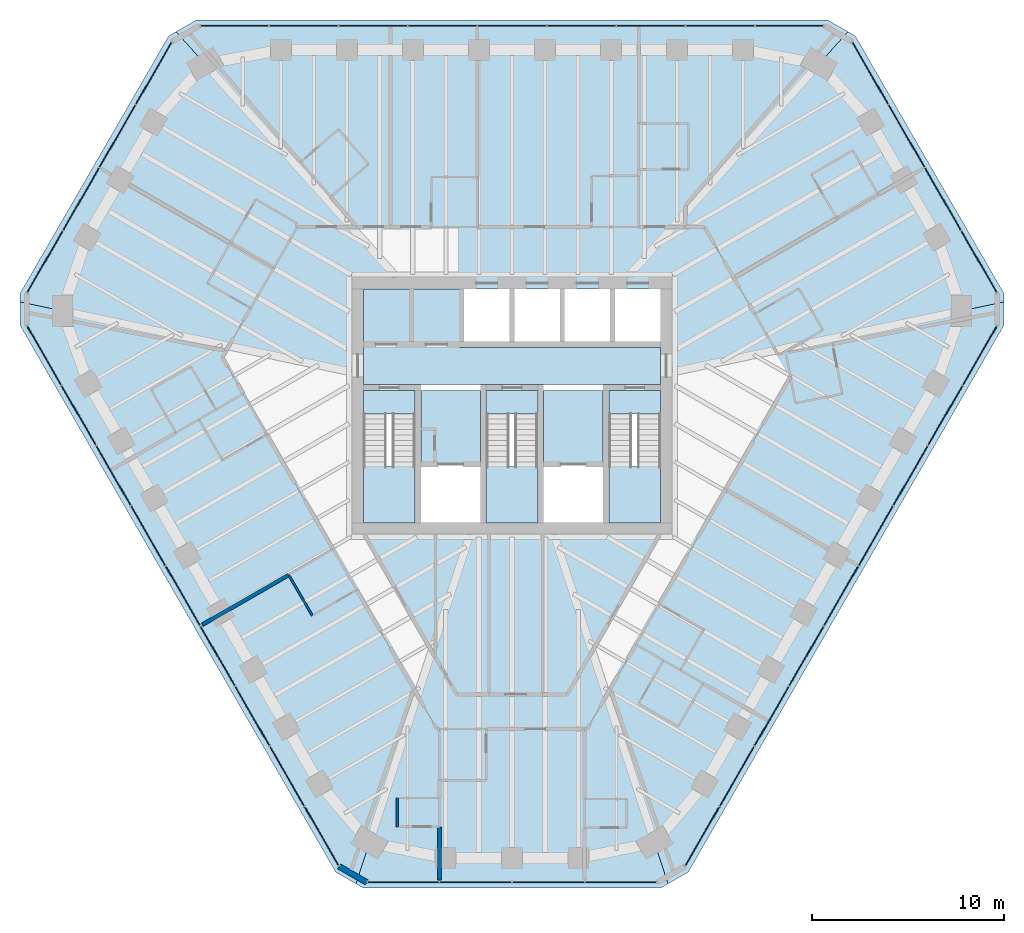
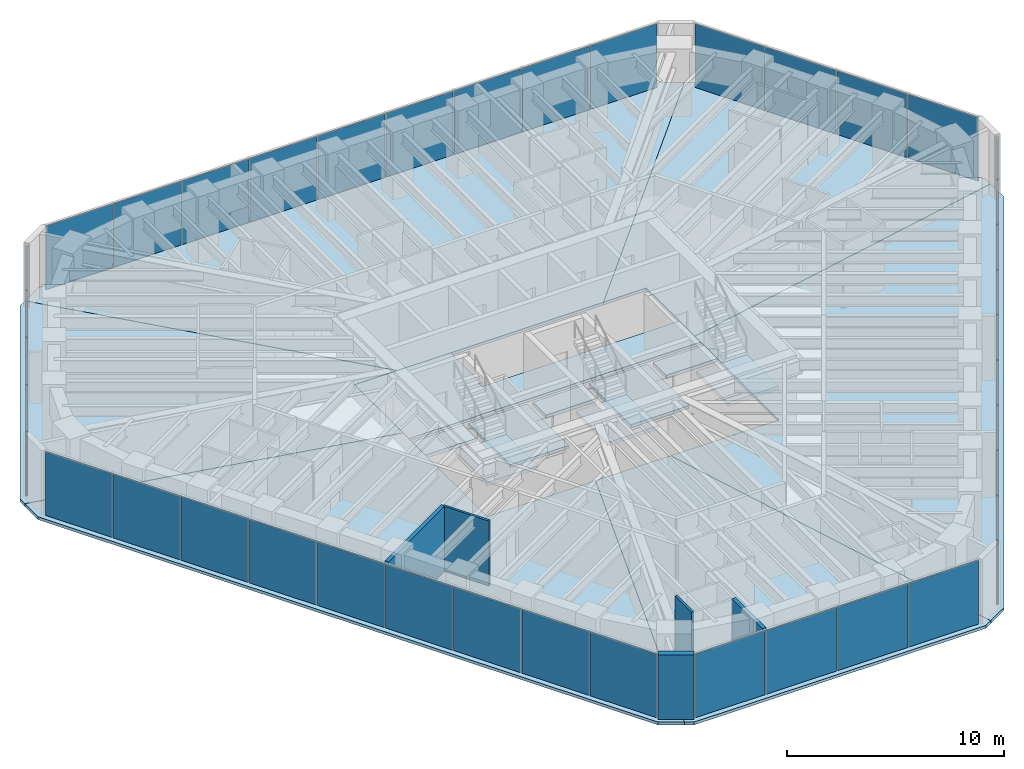
# One storey, part 8 of 14: 39 plates, 15 slabs, 5 walls, 9 elements without a shape of their own.
"""IFC4 building model written with IfcOpenShell, lengths in metres."""

from ifc_helpers import new_model, si_unit, direction, frame, frame_2d, origin, origin_2d, place, context, subcontext, project, spatial, polyline, rectangle, outline, extrude, material, layer, layer_set, type_object, element, aggregate, save


model = new_model("IFC4")

# Units and contexts
model_context = context("Model", 3, precision=1e-05, world=origin(), true_north=direction((0.0, 1.0)))
body_context = subcontext(model_context, "Body", "Model", "MODEL_VIEW")
ifc_project = project(units=[si_unit("LENGTHUNIT", "METRE"), si_unit("AREAUNIT", "SQUARE_METRE"), si_unit("VOLUMEUNIT", "CUBIC_METRE"), si_unit("PLANEANGLEUNIT", "RADIAN"), si_unit("MASSUNIT", "GRAM", prefix="KILO")], contexts=[model_context])

# Site, building, storey
site_placement = place(None, origin())
site = spatial("IfcSite", under=ifc_project, at=site_placement, CompositionType="ELEMENT")
building_placement = place(site_placement, origin())
building = spatial("IfcBuilding", under=site, at=building_placement, Name="Sandreach Pilgrim Tower", CompositionType="ELEMENT")
storey_placement = place(building_placement, frame((0.0, 0.0, 260.800048828125)))
storey = spatial("IfcBuildingStorey", under=building, at=storey_placement, Name="L65", CompositionType="ELEMENT", Elevation=260.800048828125)

# Curtain wall, plates
ifc_material_1 = material(Name="Aluminium framed curtain wall", Category="aluminium")
curtain_wall_type = type_object("IfcCurtainWallType", Name="Suite tower curtain wall", PredefinedType="NOTDEFINED", material=ifc_material_1)
curtain_wall_1_placement = place(storey_placement, origin())
curtain_wall_1 = element("IfcCurtainWall", 1, at=curtain_wall_1_placement, inside=storey, type_object=curtain_wall_type, Name="CW-4 L65 N", PredefinedType="NOTDEFINED")
ifc_material_2 = material(Name="Insulating glass unit 16.76 laminated + 24 argon + 16.76 laminated", Category="glass")
ifc_layer_1 = layer(ifc_material_2, 0.05810546875)
ifc_layer_set_1 = layer_set([ifc_layer_1], Name="CW-4 panel")
plate_type = type_object("IfcPlateType", Name="CW-4 panel", PredefinedType="CURTAIN_PANEL", material=ifc_layer_set_1)
plate_1_placement = place(storey_placement, frame((-14.472412109375, 19.826416015625, 0.0), z_axis=(0.0, 0.0, 1.0), x_axis=(1.0, 0.0, 0.0)))
plate_1 = element("IfcPlate", 2, at=plate_1_placement, type_object=plate_type, Name="CW-4 panel 1", PredefinedType="CURTAIN_PANEL", context=body_context, shape_type="SweptSolid", body=[
    extrude(rectangle(XDim=3.531982421875, YDim=0.05810546875, at=origin_2d()), origin(), (0.0, 0.0, 1.0), 3.570068359375),
])
plate_2_placement = place(storey_placement, frame((-10.865478515625, 19.826416015625, 0.0), z_axis=(0.0, 0.0, 1.0), x_axis=(1.0, 0.0, 0.0)))
plate_2 = element("IfcPlate", 3, at=plate_2_placement, type_object=plate_type, Name="CW-4 panel 2", PredefinedType="CURTAIN_PANEL", context=body_context, shape_type="SweptSolid", body=[
    extrude(rectangle(XDim=3.561767578125, YDim=0.05810546875, at=origin_2d()), origin(), (0.0, 0.0, 1.0), 3.570068359375),
])
plate_3_placement = place(storey_placement, frame((-7.24365234375, 19.826416015625, 0.0), z_axis=(0.0, 0.0, 1.0), x_axis=(1.0, 0.0, 0.0)))
plate_3 = element("IfcPlate", 4, at=plate_3_placement, type_object=plate_type, Name="CW-4 panel 3", PredefinedType="CURTAIN_PANEL", context=body_context, shape_type="SweptSolid", body=[
    extrude(rectangle(XDim=3.561767578125, YDim=0.05810546875, at=origin_2d()), origin(), (0.0, 0.0, 1.0), 3.570068359375),
])
plate_4_placement = place(storey_placement, frame((-3.621826171875, 19.826416015625, 0.0), z_axis=(0.0, 0.0, 1.0), x_axis=(1.0, 0.0, 0.0)))
plate_4 = element("IfcPlate", 5, at=plate_4_placement, type_object=plate_type, Name="CW-4 panel 4", PredefinedType="CURTAIN_PANEL", context=body_context, shape_type="SweptSolid", body=[
    extrude(rectangle(XDim=3.561767578125, YDim=0.05810546875, at=origin_2d()), origin(), (0.0, 0.0, 1.0), 3.570068359375),
])
plate_5_placement = place(storey_placement, frame((0.0, 19.826416015625, 0.0), z_axis=(0.0, 0.0, 1.0), x_axis=(1.0, 0.0, 0.0)))
plate_5 = element("IfcPlate", 6, at=plate_5_placement, type_object=plate_type, Name="CW-4 panel 5", PredefinedType="CURTAIN_PANEL", context=body_context, shape_type="SweptSolid", body=[
    extrude(rectangle(XDim=3.561767578125, YDim=0.05810546875, at=origin_2d()), origin(), (0.0, 0.0, 1.0), 3.570068359375),
])
plate_6_placement = place(storey_placement, frame((3.621826171875, 19.826416015625, 0.0), z_axis=(0.0, 0.0, 1.0), x_axis=(1.0, 0.0, 0.0)))
plate_6 = element("IfcPlate", 7, at=plate_6_placement, type_object=plate_type, Name="CW-4 panel 6", PredefinedType="CURTAIN_PANEL", context=body_context, shape_type="SweptSolid", body=[
    extrude(rectangle(XDim=3.561767578125, YDim=0.05810546875, at=origin_2d()), origin(), (0.0, 0.0, 1.0), 3.570068359375),
])
plate_7_placement = place(storey_placement, frame((7.24365234375, 19.826416015625, 0.0), z_axis=(0.0, 0.0, 1.0), x_axis=(1.0, 0.0, 0.0)))
plate_7 = element("IfcPlate", 8, at=plate_7_placement, type_object=plate_type, Name="CW-4 panel 7", PredefinedType="CURTAIN_PANEL", context=body_context, shape_type="SweptSolid", body=[
    extrude(rectangle(XDim=3.561767578125, YDim=0.05810546875, at=origin_2d()), origin(), (0.0, 0.0, 1.0), 3.570068359375),
])
plate_8_placement = place(storey_placement, frame((10.865478515625, 19.826416015625, 0.0), z_axis=(0.0, 0.0, 1.0), x_axis=(1.0, 0.0, 0.0)))
plate_8 = element("IfcPlate", 9, at=plate_8_placement, type_object=plate_type, Name="CW-4 panel 8", PredefinedType="CURTAIN_PANEL", context=body_context, shape_type="SweptSolid", body=[
    extrude(rectangle(XDim=3.561767578125, YDim=0.05810546875, at=origin_2d()), origin(), (0.0, 0.0, 1.0), 3.570068359375),
])
plate_9_placement = place(storey_placement, frame((14.472412109375, 19.826416015625, 0.0), z_axis=(0.0, 0.0, 1.0), x_axis=(1.0, 0.0, 0.0)))
plate_9 = element("IfcPlate", 10, at=plate_9_placement, type_object=plate_type, Name="CW-4 panel 9", PredefinedType="CURTAIN_PANEL", context=body_context, shape_type="SweptSolid", body=[
    extrude(rectangle(XDim=3.531982421875, YDim=0.05810546875, at=origin_2d()), origin(), (0.0, 0.0, 1.0), 3.570068359375),
])
aggregate(curtain_wall_1, [plate_1, plate_2, plate_3, plate_4, plate_5, plate_6, plate_7, plate_8, plate_9])

curtain_wall_2_placement = place(storey_placement, origin())
curtain_wall_2 = element("IfcCurtainWall", 11, at=curtain_wall_2_placement, inside=storey, type_object=curtain_wall_type, Name="CW-4 L65 NE", PredefinedType="NOTDEFINED")
plate_10_placement = place(storey_placement, frame((18.69140625, 17.341552734375, 0.0), z_axis=(0.0, 0.0, 1.0), x_axis=(0.5, -0.866025403784, 0.0)))
plate_10 = element("IfcPlate", 12, at=plate_10_placement, type_object=plate_type, Name="CW-4 panel 1", PredefinedType="CURTAIN_PANEL", context=body_context, shape_type="SweptSolid", body=[
    extrude(rectangle(XDim=3.70166015625, YDim=0.05810546875, at=origin_2d()), origin(), (0.0, 0.0, 1.0), 3.570068359375),
])
plate_11_placement = place(storey_placement, frame((20.579833984375, 14.07080078125, 0.0), z_axis=(0.0, 0.0, 1.0), x_axis=(0.5, -0.866025403784, 0.0)))
plate_11 = element("IfcPlate", 13, at=plate_11_placement, type_object=plate_type, Name="CW-4 panel 2", PredefinedType="CURTAIN_PANEL", context=body_context, shape_type="SweptSolid", body=[
    extrude(rectangle(XDim=3.731689453125, YDim=0.05810546875, at=origin_2d()), origin(), (0.0, 0.0, 1.0), 3.570068359375),
])
plate_12_placement = place(storey_placement, frame((22.4755859375, 10.787109375, 0.0), z_axis=(0.0, 0.0, 1.0), x_axis=(0.5, -0.866025403784, 0.0)))
plate_12 = element("IfcPlate", 14, at=plate_12_placement, type_object=plate_type, Name="CW-4 panel 3", PredefinedType="CURTAIN_PANEL", context=body_context, shape_type="SweptSolid", body=[
    extrude(rectangle(XDim=3.731689453125, YDim=0.05810546875, at=origin_2d()), origin(), (0.0, 0.0, 1.0), 3.570068359375),
])
plate_13_placement = place(storey_placement, frame((24.364013671875, 7.516357421875, 0.0), z_axis=(0.0, 0.0, 1.0), x_axis=(0.5, -0.866025403784, 0.0)))
plate_13 = element("IfcPlate", 15, at=plate_13_placement, type_object=plate_type, Name="CW-4 panel 4", PredefinedType="CURTAIN_PANEL", context=body_context, shape_type="SweptSolid", body=[
    extrude(rectangle(XDim=3.70166015625, YDim=0.05810546875, at=origin_2d()), origin(), (0.0, 0.0, 1.0), 3.570068359375),
])
aggregate(curtain_wall_2, [plate_10, plate_11, plate_12, plate_13])

curtain_wall_3_placement = place(storey_placement, origin())
curtain_wall_3 = element("IfcCurtainWall", 16, at=curtain_wall_3_placement, inside=storey, type_object=curtain_wall_type, Name="CW-4 L65 SE", PredefinedType="NOTDEFINED")
plate_14_placement = place(storey_placement, frame((24.406494140625, 2.620361328125, 0.0), z_axis=(0.0, 0.0, 1.0), x_axis=(-0.5, -0.866025403784, 0.0)))
plate_14 = element("IfcPlate", 17, at=plate_14_placement, type_object=plate_type, Name="CW-4 panel 1", PredefinedType="CURTAIN_PANEL", context=body_context, shape_type="SweptSolid", body=[
    extrude(rectangle(XDim=3.531982421875, YDim=0.05810546875, at=origin_2d()), origin(), (0.0, 0.0, 1.0), 3.570068359375),
])
plate_15_placement = place(storey_placement, frame((22.60302734375, -0.50341796875, 0.0), z_axis=(0.0, 0.0, 1.0), x_axis=(-0.5, -0.866025403784, 0.0)))
plate_15 = element("IfcPlate", 18, at=plate_15_placement, type_object=plate_type, Name="CW-4 panel 2", PredefinedType="CURTAIN_PANEL", context=body_context, shape_type="SweptSolid", body=[
    extrude(rectangle(XDim=3.561767578125, YDim=0.05810546875, at=origin_2d()), origin(), (0.0, 0.0, 1.0), 3.570068359375),
])
plate_16_placement = place(storey_placement, frame((20.7919921875, -3.639892578125, 0.0), z_axis=(0.0, 0.0, 1.0), x_axis=(-0.5, -0.866025403784, 0.0)))
plate_16 = element("IfcPlate", 19, at=plate_16_placement, type_object=plate_type, Name="CW-4 panel 3", PredefinedType="CURTAIN_PANEL", context=body_context, shape_type="SweptSolid", body=[
    extrude(rectangle(XDim=3.561767578125, YDim=0.05810546875, at=origin_2d()), origin(), (0.0, 0.0, 1.0), 3.570068359375),
])
plate_17_placement = place(storey_placement, frame((18.981201171875, -6.776611328125, 0.0), z_axis=(0.0, 0.0, 1.0), x_axis=(-0.5, -0.866025403784, 0.0)))
plate_17 = element("IfcPlate", 20, at=plate_17_placement, type_object=plate_type, Name="CW-4 panel 4", PredefinedType="CURTAIN_PANEL", context=body_context, shape_type="SweptSolid", body=[
    extrude(rectangle(XDim=3.561767578125, YDim=0.05810546875, at=origin_2d()), origin(), (0.0, 0.0, 1.0), 3.570068359375),
])
plate_18_placement = place(storey_placement, frame((17.170166015625, -9.913330078125, 0.0), z_axis=(0.0, 0.0, 1.0), x_axis=(-0.5, -0.866025403784, 0.0)))
plate_18 = element("IfcPlate", 21, at=plate_18_placement, type_object=plate_type, Name="CW-4 panel 5", PredefinedType="CURTAIN_PANEL", context=body_context, shape_type="SweptSolid", body=[
    extrude(rectangle(XDim=3.561767578125, YDim=0.05810546875, at=origin_2d()), origin(), (0.0, 0.0, 1.0), 3.570068359375),
])
plate_19_placement = place(storey_placement, frame((15.359375, -13.0498046875, 0.0), z_axis=(0.0, 0.0, 1.0), x_axis=(-0.5, -0.866025403784, 0.0)))
plate_19 = element("IfcPlate", 22, at=plate_19_placement, type_object=plate_type, Name="CW-4 panel 6", PredefinedType="CURTAIN_PANEL", context=body_context, shape_type="SweptSolid", body=[
    extrude(rectangle(XDim=3.561767578125, YDim=0.05810546875, at=origin_2d()), origin(), (0.0, 0.0, 1.0), 3.570068359375),
])
plate_20_placement = place(storey_placement, frame((13.54833984375, -16.1865234375, 0.0), z_axis=(0.0, 0.0, 1.0), x_axis=(-0.5, -0.866025403784, 0.0)))
plate_20 = element("IfcPlate", 23, at=plate_20_placement, type_object=plate_type, Name="CW-4 panel 7", PredefinedType="CURTAIN_PANEL", context=body_context, shape_type="SweptSolid", body=[
    extrude(rectangle(XDim=3.561767578125, YDim=0.05810546875, at=origin_2d()), origin(), (0.0, 0.0, 1.0), 3.570068359375),
])
plate_21_placement = place(storey_placement, frame((11.7373046875, -19.322998046875, 0.0), z_axis=(0.0, 0.0, 1.0), x_axis=(-0.5, -0.866025403784, 0.0)))
plate_21 = element("IfcPlate", 24, at=plate_21_placement, type_object=plate_type, Name="CW-4 panel 8", PredefinedType="CURTAIN_PANEL", context=body_context, shape_type="SweptSolid", body=[
    extrude(rectangle(XDim=3.561767578125, YDim=0.05810546875, at=origin_2d()), origin(), (0.0, 0.0, 1.0), 3.570068359375),
])
plate_22_placement = place(storey_placement, frame((9.93408203125, -22.44677734375, 0.0), z_axis=(0.0, 0.0, 1.0), x_axis=(-0.5, -0.866025403784, 0.0)))
plate_22 = element("IfcPlate", 25, at=plate_22_placement, type_object=plate_type, Name="CW-4 panel 9", PredefinedType="CURTAIN_PANEL", context=body_context, shape_type="SweptSolid", body=[
    extrude(rectangle(XDim=3.531982421875, YDim=0.05810546875, at=origin_2d()), origin(), (0.0, 0.0, 1.0), 3.570068359375),
])
aggregate(curtain_wall_3, [plate_14, plate_15, plate_16, plate_17, plate_18, plate_19, plate_20, plate_21, plate_22])

curtain_wall_4_placement = place(storey_placement, origin())
curtain_wall_4 = element("IfcCurtainWall", 26, at=curtain_wall_4_placement, inside=storey, type_object=curtain_wall_type, Name="CW-4 L65 S", PredefinedType="NOTDEFINED")
plate_23_placement = place(storey_placement, frame((5.672607421875, -24.858154296875, 0.0), z_axis=(0.0, 0.0, 1.0), x_axis=(-1.0, 0.0, 0.0)))
plate_23 = element("IfcPlate", 27, at=plate_23_placement, type_object=plate_type, Name="CW-4 panel 1", PredefinedType="CURTAIN_PANEL", context=body_context, shape_type="SweptSolid", body=[
    extrude(rectangle(XDim=3.70166015625, YDim=0.05810546875, at=origin_2d()), origin(), (0.0, 0.0, 1.0), 3.570068359375),
])
plate_24_placement = place(storey_placement, frame((1.895751953125, -24.858154296875, 0.0), z_axis=(0.0, 0.0, 1.0), x_axis=(-1.0, 0.0, 0.0)))
plate_24 = element("IfcPlate", 28, at=plate_24_placement, type_object=plate_type, Name="CW-4 panel 2", PredefinedType="CURTAIN_PANEL", context=body_context, shape_type="SweptSolid", body=[
    extrude(rectangle(XDim=3.731689453125, YDim=0.05810546875, at=origin_2d()), origin(), (0.0, 0.0, 1.0), 3.570068359375),
])
plate_25_placement = place(storey_placement, frame((-1.895751953125, -24.858154296875, 0.0), z_axis=(0.0, 0.0, 1.0), x_axis=(-1.0, 0.0, 0.0)))
plate_25 = element("IfcPlate", 29, at=plate_25_placement, type_object=plate_type, Name="CW-4 panel 3", PredefinedType="CURTAIN_PANEL", context=body_context, shape_type="SweptSolid", body=[
    extrude(rectangle(XDim=3.731689453125, YDim=0.05810546875, at=origin_2d()), origin(), (0.0, 0.0, 1.0), 3.570068359375),
])
plate_26_placement = place(storey_placement, frame((-5.672607421875, -24.858154296875, 0.0), z_axis=(0.0, 0.0, 1.0), x_axis=(-1.0, 0.0, 0.0)))
plate_26 = element("IfcPlate", 30, at=plate_26_placement, type_object=plate_type, Name="CW-4 panel 4", PredefinedType="CURTAIN_PANEL", context=body_context, shape_type="SweptSolid", body=[
    extrude(rectangle(XDim=3.70166015625, YDim=0.05810546875, at=origin_2d()), origin(), (0.0, 0.0, 1.0), 3.570068359375),
])
aggregate(curtain_wall_4, [plate_23, plate_24, plate_25, plate_26])

curtain_wall_5_placement = place(storey_placement, origin())
curtain_wall_5 = element("IfcCurtainWall", 31, at=curtain_wall_5_placement, inside=storey, type_object=curtain_wall_type, Name="CW-4 L65 SW", PredefinedType="NOTDEFINED")
plate_27_placement = place(storey_placement, frame((-9.93408203125, -22.44677734375, 0.0), z_axis=(0.0, 0.0, 1.0), x_axis=(-0.5, 0.866025403784, 0.0)))
plate_27 = element("IfcPlate", 32, at=plate_27_placement, type_object=plate_type, Name="CW-4 panel 1", PredefinedType="CURTAIN_PANEL", context=body_context, shape_type="SweptSolid", body=[
    extrude(rectangle(XDim=3.531982421875, YDim=0.05810546875, at=origin_2d()), origin(), (0.0, 0.0, 1.0), 3.570068359375),
])
plate_28_placement = place(storey_placement, frame((-11.7373046875, -19.322998046875, 0.0), z_axis=(0.0, 0.0, 1.0), x_axis=(-0.5, 0.866025403784, 0.0)))
plate_28 = element("IfcPlate", 33, at=plate_28_placement, type_object=plate_type, Name="CW-4 panel 2", PredefinedType="CURTAIN_PANEL", context=body_context, shape_type="SweptSolid", body=[
    extrude(rectangle(XDim=3.561767578125, YDim=0.05810546875, at=origin_2d()), origin(), (0.0, 0.0, 1.0), 3.570068359375),
])
plate_29_placement = place(storey_placement, frame((-13.54833984375, -16.1865234375, 0.0), z_axis=(0.0, 0.0, 1.0), x_axis=(-0.5, 0.866025403784, 0.0)))
plate_29 = element("IfcPlate", 34, at=plate_29_placement, type_object=plate_type, Name="CW-4 panel 3", PredefinedType="CURTAIN_PANEL", context=body_context, shape_type="SweptSolid", body=[
    extrude(rectangle(XDim=3.561767578125, YDim=0.05810546875, at=origin_2d()), origin(), (0.0, 0.0, 1.0), 3.570068359375),
])
plate_30_placement = place(storey_placement, frame((-15.359375, -13.0498046875, 0.0), z_axis=(0.0, 0.0, 1.0), x_axis=(-0.5, 0.866025403784, 0.0)))
plate_30 = element("IfcPlate", 35, at=plate_30_placement, type_object=plate_type, Name="CW-4 panel 4", PredefinedType="CURTAIN_PANEL", context=body_context, shape_type="SweptSolid", body=[
    extrude(rectangle(XDim=3.561767578125, YDim=0.05810546875, at=origin_2d()), origin(), (0.0, 0.0, 1.0), 3.570068359375),
])
plate_31_placement = place(storey_placement, frame((-17.170166015625, -9.913330078125, 0.0), z_axis=(0.0, 0.0, 1.0), x_axis=(-0.5, 0.866025403784, 0.0)))
plate_31 = element("IfcPlate", 36, at=plate_31_placement, type_object=plate_type, Name="CW-4 panel 5", PredefinedType="CURTAIN_PANEL", context=body_context, shape_type="SweptSolid", body=[
    extrude(rectangle(XDim=3.561767578125, YDim=0.05810546875, at=origin_2d()), origin(), (0.0, 0.0, 1.0), 3.570068359375),
])
plate_32_placement = place(storey_placement, frame((-18.981201171875, -6.776611328125, 0.0), z_axis=(0.0, 0.0, 1.0), x_axis=(-0.5, 0.866025403784, 0.0)))
plate_32 = element("IfcPlate", 37, at=plate_32_placement, type_object=plate_type, Name="CW-4 panel 6", PredefinedType="CURTAIN_PANEL", context=body_context, shape_type="SweptSolid", body=[
    extrude(rectangle(XDim=3.561767578125, YDim=0.05810546875, at=origin_2d()), origin(), (0.0, 0.0, 1.0), 3.570068359375),
])
plate_33_placement = place(storey_placement, frame((-20.7919921875, -3.639892578125, 0.0), z_axis=(0.0, 0.0, 1.0), x_axis=(-0.5, 0.866025403784, 0.0)))
plate_33 = element("IfcPlate", 38, at=plate_33_placement, type_object=plate_type, Name="CW-4 panel 7", PredefinedType="CURTAIN_PANEL", context=body_context, shape_type="SweptSolid", body=[
    extrude(rectangle(XDim=3.561767578125, YDim=0.05810546875, at=origin_2d()), origin(), (0.0, 0.0, 1.0), 3.570068359375),
])
plate_34_placement = place(storey_placement, frame((-22.60302734375, -0.50341796875, 0.0), z_axis=(0.0, 0.0, 1.0), x_axis=(-0.5, 0.866025403784, 0.0)))
plate_34 = element("IfcPlate", 39, at=plate_34_placement, type_object=plate_type, Name="CW-4 panel 8", PredefinedType="CURTAIN_PANEL", context=body_context, shape_type="SweptSolid", body=[
    extrude(rectangle(XDim=3.561767578125, YDim=0.05810546875, at=origin_2d()), origin(), (0.0, 0.0, 1.0), 3.570068359375),
])
plate_35_placement = place(storey_placement, frame((-24.406494140625, 2.620361328125, 0.0), z_axis=(0.0, 0.0, 1.0), x_axis=(-0.5, 0.866025403784, 0.0)))
plate_35 = element("IfcPlate", 40, at=plate_35_placement, type_object=plate_type, Name="CW-4 panel 9", PredefinedType="CURTAIN_PANEL", context=body_context, shape_type="SweptSolid", body=[
    extrude(rectangle(XDim=3.531982421875, YDim=0.05810546875, at=origin_2d()), origin(), (0.0, 0.0, 1.0), 3.570068359375),
])
aggregate(curtain_wall_5, [plate_27, plate_28, plate_29, plate_30, plate_31, plate_32, plate_33, plate_34, plate_35])

curtain_wall_6_placement = place(storey_placement, origin())
curtain_wall_6 = element("IfcCurtainWall", 41, at=curtain_wall_6_placement, inside=storey, type_object=curtain_wall_type, Name="CW-4 L65 NW", PredefinedType="NOTDEFINED")
plate_36_placement = place(storey_placement, frame((-24.364013671875, 7.516357421875, 0.0), z_axis=(0.0, 0.0, 1.0), x_axis=(0.5, 0.866025403784, 0.0)))
plate_36 = element("IfcPlate", 42, at=plate_36_placement, type_object=plate_type, Name="CW-4 panel 1", PredefinedType="CURTAIN_PANEL", context=body_context, shape_type="SweptSolid", body=[
    extrude(rectangle(XDim=3.70166015625, YDim=0.05810546875, at=origin_2d()), origin(), (0.0, 0.0, 1.0), 3.570068359375),
])
plate_37_placement = place(storey_placement, frame((-22.4755859375, 10.787109375, 0.0), z_axis=(0.0, 0.0, 1.0), x_axis=(0.5, 0.866025403784, 0.0)))
plate_37 = element("IfcPlate", 43, at=plate_37_placement, type_object=plate_type, Name="CW-4 panel 2", PredefinedType="CURTAIN_PANEL", context=body_context, shape_type="SweptSolid", body=[
    extrude(rectangle(XDim=3.731689453125, YDim=0.05810546875, at=origin_2d()), origin(), (0.0, 0.0, 1.0), 3.570068359375),
])
plate_38_placement = place(storey_placement, frame((-20.579833984375, 14.07080078125, 0.0), z_axis=(0.0, 0.0, 1.0), x_axis=(0.5, 0.866025403784, 0.0)))
plate_38 = element("IfcPlate", 44, at=plate_38_placement, type_object=plate_type, Name="CW-4 panel 3", PredefinedType="CURTAIN_PANEL", context=body_context, shape_type="SweptSolid", body=[
    extrude(rectangle(XDim=3.731689453125, YDim=0.05810546875, at=origin_2d()), origin(), (0.0, 0.0, 1.0), 3.570068359375),
])
plate_39_placement = place(storey_placement, frame((-18.69140625, 17.341552734375, 0.0), z_axis=(0.0, 0.0, 1.0), x_axis=(0.5, 0.866025403784, 0.0)))
plate_39 = element("IfcPlate", 45, at=plate_39_placement, type_object=plate_type, Name="CW-4 panel 4", PredefinedType="CURTAIN_PANEL", context=body_context, shape_type="SweptSolid", body=[
    extrude(rectangle(XDim=3.70166015625, YDim=0.05810546875, at=origin_2d()), origin(), (0.0, 0.0, 1.0), 3.570068359375),
])
aggregate(curtain_wall_6, [plate_36, plate_37, plate_38, plate_39])

# Slabs
ifc_material_3 = material(Name="Concrete 8000 psi", Category="concrete")
ifc_layer_2 = layer(ifc_material_3, 0.159912109375)
ifc_layer_set_2 = layer_set([ifc_layer_2], Name="Composite floor slab 160")
slab_type_1 = type_object("IfcSlabType", Name="Composite floor slab 160", PredefinedType="FLOOR", material=ifc_layer_set_2)
slab_1_placement = place(storey_placement, frame((0.0, 0.0, -0.16015625)))
element("IfcSlab", 46, at=slab_1_placement, inside=storey, type_object=slab_type_1, Name="Floor slab L65 N sector", PredefinedType="FLOOR", context=body_context, shape_type="SweptSolid", body=[
    extrude(outline(polyline([(-16.4716796875, 20.12646484375), (16.4716796875, 20.12646484375), (17.52587890625, 19.517822265625), (5.477294921875, 6.10009765625), (-5.477294921875, 6.10009765625), (-17.52587890625, 19.517822265625), (-16.4716796875, 20.12646484375)])), origin(), (0.0, 0.0, 1.0), 0.16015625),
])
slab_2_placement = place(storey_placement, frame((0.0, 0.0, -0.16015625)))
element("IfcSlab", 47, at=slab_2_placement, inside=storey, type_object=slab_type_1, Name="Floor slab L65 NE sector", PredefinedType="FLOOR", context=body_context, shape_type="SweptSolid", body=[
    extrude(outline(polyline([(17.9091796875, 19.29638671875), (25.665771484375, 5.861572265625), (25.665771484375, 5.4189453125), (7.75, 1.63623046875), (7.75, 6.10009765625), (5.477294921875, 6.10009765625), (17.52587890625, 19.517822265625), (17.9091796875, 19.29638671875)])), origin(), (0.0, 0.0, 1.0), 0.16015625),
])
slab_3_placement = place(storey_placement, frame((0.0, 0.0, -0.16015625)))
element("IfcSlab", 48, at=slab_3_placement, inside=storey, type_object=slab_type_1, Name="Floor slab L65 SE sector", PredefinedType="FLOOR", context=body_context, shape_type="SweptSolid", body=[
    extrude(outline(polyline([(25.665771484375, 4.20166015625), (9.194091796875, -24.327880859375), (8.139892578125, -24.936767578125), (1.9912109375, -6.10009765625), (7.75, -6.10009765625), (7.75, 1.63623046875), (25.665771484375, 5.4189453125), (25.665771484375, 4.20166015625)])), origin(), (0.0, 0.0, 1.0), 0.16015625),
])
slab_4_placement = place(storey_placement, frame((0.0, 0.0, -0.16015625)))
element("IfcSlab", 49, at=slab_4_placement, inside=storey, type_object=slab_type_1, Name="Floor slab L65 S sector", PredefinedType="FLOOR", context=body_context, shape_type="SweptSolid", body=[
    extrude(outline(polyline([(7.756591796875, -25.157958984375), (-7.756591796875, -25.157958984375), (-8.139892578125, -24.936767578125), (-1.9912109375, -6.10009765625), (1.9912109375, -6.10009765625), (8.139892578125, -24.936767578125), (7.756591796875, -25.157958984375)])), origin(), (0.0, 0.0, 1.0), 0.16015625),
])
slab_5_placement = place(storey_placement, frame((0.0, 0.0, -0.16015625)))
element("IfcSlab", 50, at=slab_5_placement, inside=storey, type_object=slab_type_1, Name="Floor slab L65 SW sector", PredefinedType="FLOOR", context=body_context, shape_type="SweptSolid", body=[
    extrude(outline(polyline([(-9.194091796875, -24.327880859375), (-25.665771484375, 4.20166015625), (-25.665771484375, 5.4189453125), (-7.75, 1.63623046875), (-7.75, -6.10009765625), (-1.9912109375, -6.10009765625), (-8.139892578125, -24.936767578125), (-9.194091796875, -24.327880859375)])), origin(), (0.0, 0.0, 1.0), 0.16015625),
])
slab_6_placement = place(storey_placement, frame((0.0, 0.0, -0.16015625)))
element("IfcSlab", 51, at=slab_6_placement, inside=storey, type_object=slab_type_1, Name="Floor slab L65 NW sector", PredefinedType="FLOOR", context=body_context, shape_type="SweptSolid", body=[
    extrude(outline(polyline([(-25.665771484375, 5.861572265625), (-17.9091796875, 19.29638671875), (-17.52587890625, 19.517822265625), (-5.477294921875, 6.10009765625), (-7.75, 6.10009765625), (-7.75, 1.63623046875), (-25.665771484375, 5.4189453125), (-25.665771484375, 5.861572265625)])), origin(), (0.0, 0.0, 1.0), 0.16015625),
])
slab_7_placement = place(storey_placement, frame((0.0, 0.0, -0.16015625)))
element("IfcSlab", 52, at=slab_7_placement, inside=storey, type_object=slab_type_1, Name="Core floor slab and stores L65", PredefinedType="FLOOR", context=body_context, shape_type="SweptSolid", body=[
    extrude(outline(polyline([(-2.75, 3.35009765625), (-2.75, 3.050048828125), (-0.125, 3.050048828125), (0.125, 3.050048828125), (2.5, 3.050048828125), (2.75, 3.050048828125), (5.125, 3.050048828125), (5.375, 3.050048828125), (7.75, 3.050048828125), (7.75, 1.10009765625), (5.050048828125, 1.10009765625), (4.75, 1.10009765625), (1.64990234375, 1.10009765625), (1.35009765625, 1.10009765625), (-1.35009765625, 1.10009765625), (-1.64990234375, 1.10009765625), (-4.75, 1.10009765625), (-5.050048828125, 1.10009765625), (-7.75, 1.10009765625), (-7.75, 6.10009765625), (-2.64990234375, 6.10009765625), (-2.64990234375, 3.35009765625), (-2.75, 3.35009765625)])), origin(), (0.0, 0.0, 1.0), 0.16015625),
])
slab_8_placement = place(storey_placement, frame((0.0, 0.0, -0.16015625)))
element("IfcSlab", 53, at=slab_8_placement, inside=storey, type_object=slab_type_1, Name="Core floor slab and stores L65 2", PredefinedType="FLOOR", context=body_context, shape_type="SweptSolid", body=[
    extrude(outline(polyline([(-1.64990234375, -3.050048828125), (-4.75, -3.050048828125), (-4.75, 0.800048828125), (-1.64990234375, 0.800048828125), (-1.64990234375, -3.050048828125)])), origin(), (0.0, 0.0, 1.0), 0.16015625),
])
slab_9_placement = place(storey_placement, frame((0.0, 0.0, -0.16015625)))
element("IfcSlab", 54, at=slab_9_placement, inside=storey, type_object=slab_type_1, Name="Core floor slab and stores L65 3", PredefinedType="FLOOR", context=body_context, shape_type="SweptSolid", body=[
    extrude(outline(polyline([(4.75, -3.050048828125), (1.64990234375, -3.050048828125), (1.64990234375, 0.800048828125), (4.75, 0.800048828125), (4.75, -3.050048828125)])), origin(), (0.0, 0.0, 1.0), 0.16015625),
])

# Stair, slabs
ifc_material_4 = material(Name="Concrete 8000 psi", Category="concrete")
stair_type = type_object("IfcStairType", Name="Core exit stair", PredefinedType="HALF_TURN_STAIR", material=ifc_material_4)
stair_1_placement = place(storey_placement, origin())
stair_1 = element("IfcStair", 55, at=stair_1_placement, inside=storey, type_object=stair_type, Name="Exit stair ST1 L65", PredefinedType="HALF_TURN_STAIR")
ifc_material_5 = material(Name="Concrete 8000 psi", Category="concrete")
ifc_layer_3 = layer(ifc_material_5, 0.199951171875)
ifc_layer_set_3 = layer_set([ifc_layer_3], Name="Core stair landing 200")
slab_type_2 = type_object("IfcSlabType", Name="Core stair landing 200", PredefinedType="LANDING", material=ifc_layer_set_3)
slab_10_placement = place(storey_placement, frame((0.0, 0.0, -0.199951171875)))
slab_10 = element("IfcSlab", 56, at=slab_10_placement, type_object=slab_type_2, Name="ST1 landing 1", PredefinedType="LANDING", context=body_context, shape_type="SweptSolid", body=[
    extrude(outline(polyline([(-7.75, -0.425048828125), (-5.050048828125, -0.425048828125), (-5.050048828125, 0.800048828125), (-7.75, 0.800048828125), (-7.75, -0.425048828125)])), origin(), (0.0, 0.0, 1.0), 0.199951171875),
])
slab_11_placement = place(storey_placement, frame((0.0, 0.0, 1.699951171875)))
slab_11 = element("IfcSlab", 57, at=slab_11_placement, type_object=slab_type_2, Name="ST1 landing 2", PredefinedType="LANDING", context=body_context, shape_type="SweptSolid", body=[
    extrude(outline(polyline([(-7.75, -6.10009765625), (-5.050048828125, -6.10009765625), (-5.050048828125, -3.175048828125), (-7.75, -3.175048828125), (-7.75, -6.10009765625)])), origin(), (0.0, 0.0, 1.0), 0.199951171875),
])
aggregate(stair_1, [slab_10, slab_11])

stair_2_placement = place(storey_placement, origin())
stair_2 = element("IfcStair", 58, at=stair_2_placement, inside=storey, type_object=stair_type, Name="Exit stair ST3 L65", PredefinedType="HALF_TURN_STAIR")
slab_12_placement = place(storey_placement, frame((0.0, 0.0, -0.199951171875)))
slab_12 = element("IfcSlab", 59, at=slab_12_placement, type_object=slab_type_2, Name="ST3 landing 1", PredefinedType="LANDING", context=body_context, shape_type="SweptSolid", body=[
    extrude(outline(polyline([(-1.35009765625, -0.425048828125), (1.35009765625, -0.425048828125), (1.35009765625, 0.800048828125), (-1.35009765625, 0.800048828125), (-1.35009765625, -0.425048828125)])), origin(), (0.0, 0.0, 1.0), 0.199951171875),
])
slab_13_placement = place(storey_placement, frame((0.0, 0.0, 1.699951171875)))
slab_13 = element("IfcSlab", 60, at=slab_13_placement, type_object=slab_type_2, Name="ST3 landing 2", PredefinedType="LANDING", context=body_context, shape_type="SweptSolid", body=[
    extrude(outline(polyline([(-1.35009765625, -6.10009765625), (1.35009765625, -6.10009765625), (1.35009765625, -3.175048828125), (-1.35009765625, -3.175048828125), (-1.35009765625, -6.10009765625)])), origin(), (0.0, 0.0, 1.0), 0.199951171875),
])
aggregate(stair_2, [slab_12, slab_13])

stair_3_placement = place(storey_placement, origin())
stair_3 = element("IfcStair", 61, at=stair_3_placement, inside=storey, type_object=stair_type, Name="Exit stair ST2 L65", PredefinedType="HALF_TURN_STAIR")
slab_14_placement = place(storey_placement, frame((0.0, 0.0, -0.199951171875)))
slab_14 = element("IfcSlab", 62, at=slab_14_placement, type_object=slab_type_2, Name="ST2 landing 1", PredefinedType="LANDING", context=body_context, shape_type="SweptSolid", body=[
    extrude(outline(polyline([(5.050048828125, -0.425048828125), (7.75, -0.425048828125), (7.75, 0.800048828125), (5.050048828125, 0.800048828125), (5.050048828125, -0.425048828125)])), origin(), (0.0, 0.0, 1.0), 0.199951171875),
])
slab_15_placement = place(storey_placement, frame((0.0, 0.0, 1.699951171875)))
slab_15 = element("IfcSlab", 63, at=slab_15_placement, type_object=slab_type_2, Name="ST2 landing 2", PredefinedType="LANDING", context=body_context, shape_type="SweptSolid", body=[
    extrude(outline(polyline([(5.050048828125, -6.10009765625), (7.75, -6.10009765625), (7.75, -3.175048828125), (5.050048828125, -3.175048828125), (5.050048828125, -6.10009765625)])), origin(), (0.0, 0.0, 1.0), 0.199951171875),
])
aggregate(stair_3, [slab_14, slab_15])

# Walls
ifc_material_6 = material(Name="Moisture-resistant gypsum board on steel studs", Category="steel")
ifc_layer_4 = layer(ifc_material_6, 0.1201171875)
ifc_layer_set_4 = layer_set([ifc_layer_4], Name="Bathroom partition 120")
wall_type_1 = type_object("IfcWallType", Name="Bathroom partition 120", PredefinedType="PARTITIONING", material=ifc_layer_set_4)
wall_1_placement = place(storey_placement, frame((-11.64990234375, -8.820068359375, 0.0), z_axis=(0.0, 0.0, 1.0), x_axis=(0.501856726365, -0.86495076519, 0.0)))
element("IfcWall", 64, at=wall_1_placement, inside=storey, type_object=wall_type_1, Name="Bathroom partition L65-025", PredefinedType="PARTITIONING", context=body_context, shape_type="SweptSolid", body=[
    extrude(rectangle(XDim=2.450927734375, YDim=0.1201171875, at=frame_2d((1.2255859375, 0.0))), origin(), (0.0, 0.0, 1.0), 3.639892578125),
])
wall_2_placement = place(storey_placement, frame((-5.989990234375, -20.4599609375, 0.0), z_axis=(0.0, 0.0, 1.0), x_axis=(0.0, -1.0, 0.0)))
element("IfcWall", 65, at=wall_2_placement, inside=storey, type_object=wall_type_1, Name="Bathroom partition L65-043", PredefinedType="PARTITIONING", context=body_context, shape_type="SweptSolid", body=[
    extrude(rectangle(XDim=1.5, YDim=0.1201171875, at=frame_2d((0.75, 0.0))), origin(), (0.0, 0.0, 1.0), 3.639892578125),
])
ifc_material_7 = material(Name="Double steel stud acoustic wall, gypsum board", Category="steel")
ifc_layer_5 = layer(ifc_material_7, 0.199951171875)
ifc_layer_set_5 = layer_set([ifc_layer_5], Name="Party wall 200")
wall_type_2 = type_object("IfcWallType", Name="Party wall 200", PredefinedType="PARTITIONING", material=ifc_layer_set_5)
wall_3_placement = place(storey_placement, frame((-16.156005859375, -11.419921875, 0.0), z_axis=(0.0, 0.0, 1.0), x_axis=(0.866170741273, 0.499748183552, 0.0)))
element("IfcWall", 66, at=wall_3_placement, inside=storey, type_object=wall_type_2, Name="Party wall L65-010", PredefinedType="PARTITIONING", context=body_context, shape_type="SweptSolid", body=[
    extrude(rectangle(XDim=5.202392578125, YDim=0.199951171875, at=frame_2d((2.60107421875, 0.0))), origin(), (0.0, 0.0, 1.0), 3.639892578125),
])
wall_4_placement = place(storey_placement, frame((-3.7900390625, -24.739990234375, 0.0), z_axis=(0.0, 0.0, 1.0), x_axis=(0.0, 1.0, 0.0)))
element("IfcWall", 67, at=wall_4_placement, inside=storey, type_object=wall_type_2, Name="Party wall L65-051", PredefinedType="PARTITIONING", context=body_context, shape_type="SweptSolid", body=[
    extrude(rectangle(XDim=2.780029296875, YDim=0.199951171875, at=frame_2d((1.39013671875, 0.0))), origin(), (0.0, 0.0, 1.0), 3.639892578125),
])
ifc_material_8 = material(Name="Terracotta rainscreen on concrete", Category="masonry")
ifc_layer_6 = layer(ifc_material_8, 0.300048828125)
ifc_layer_set_6 = layer_set([ifc_layer_6], Name="Terracotta chamfer pier")
wall_type_3 = type_object("IfcWallType", Name="Terracotta chamfer pier", PredefinedType="SOLIDWALL", material=ifc_layer_set_6)
wall_5_placement = place(storey_placement, frame((-7.58349609375, -24.858154296875, 0.0), z_axis=(0.0, 0.0, 1.0), x_axis=(-0.865989634427, 0.500061949227, 0.0)))
element("IfcWall", 68, at=wall_5_placement, inside=storey, type_object=wall_type_3, Name="Chamfer pier L65 S", PredefinedType="SOLIDWALL", context=body_context, shape_type="SweptSolid", body=[
    extrude(rectangle(XDim=1.659912109375, YDim=0.300048828125, at=frame_2d((0.830078125, 0.0))), origin(), (0.0, 0.0, 1.0), 3.639892578125),
])

save(model, "model.ifc")
